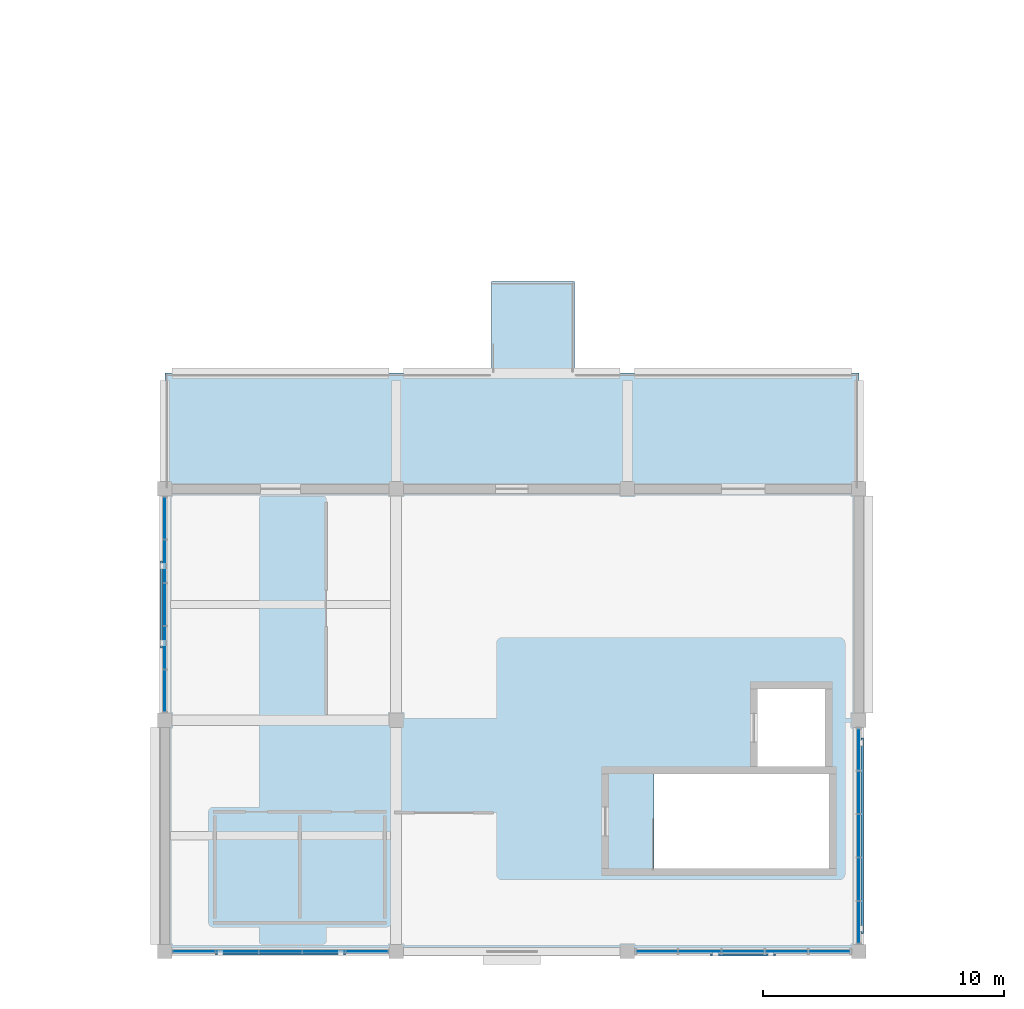
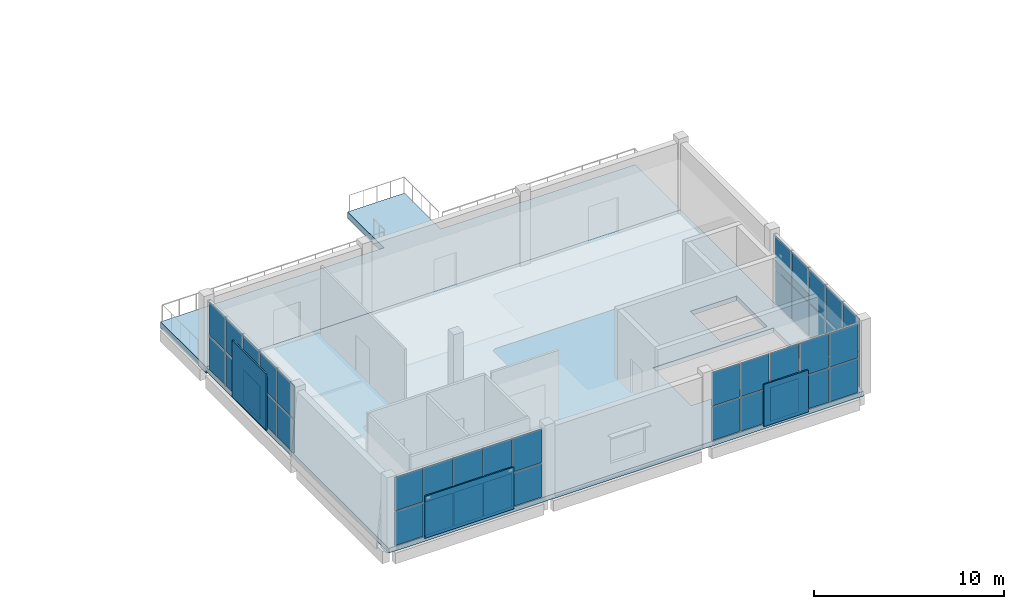
# One storey, part 18 of 37: 44 plates, 2 slabs, 4 elements without a shape of their own.
"""IFC4 building model written with IfcOpenShell, lengths in metres."""

import ifcopenshell
import ifcopenshell.guid

model = None  # the IFC model being written
_history = None  # IfcOwnerHistory: only IFC2X3 demands one
_inside = {}  # id of a spatial element -> (the spatial element, [elements in it])
_under = {}  # id of a project, library or spatial element -> (it, [spatial elements below it])
_declared = {}  # id of a project -> (the project, [libraries it declares])
_typed = {}  # id of a type object -> (the type object, [elements of that type])
_made_of = {}  # id of a material, layer set ... -> (it, [elements and type objects made of it])


def new_model(schema):
    """Start an empty IFC model of exactly this schema.

    Asked for "IFC4X3", IfcOpenShell would pick the latest addendum, in which some entities
    have other attributes; the version numbers below select the first issue.
    IFC2X3 requires an IfcOwnerHistory on every rooted entity: one is made here for all.
    """
    global model, _history
    if schema == "IFC4X3":
        model = ifcopenshell.file(schema_version=(4, 3, 0, 0))
    else:
        model = ifcopenshell.file(schema=schema)
    _inside.clear()
    _under.clear()
    _declared.clear()
    _typed.clear()
    _made_of.clear()
    _history = None
    if model.schema == "IFC2X3":
        org = make("IfcOrganization", Name="unknown")
        user = make(
            "IfcPersonAndOrganization",
            ThePerson=make("IfcPerson", FamilyName="unknown"),
            TheOrganization=org,
        )
        app = make(
            "IfcApplication",
            ApplicationDeveloper=org,
            Version="unknown",
            ApplicationFullName="unknown",
            ApplicationIdentifier="unknown",
        )
        _history = make(
            "IfcOwnerHistory",
            OwningUser=user,
            OwningApplication=app,
            ChangeAction="ADDED",
            CreationDate=0,
        )
    return model


def make(cls, **values):
    """One entity of the class cls with the attributes given. An attribute that is None is left unset."""
    return model.create_entity(
        cls, **{name: value for name, value in values.items() if value is not None}
    )


def rooted(cls, **values):
    """An entity with a GlobalId (a new one), such as an element, a storey or a relation."""
    return make(cls, GlobalId=ifcopenshell.guid.new(), OwnerHistory=_history, **values)


def si_unit(unit_type, name, prefix=None):
    """IfcSIUnit, for example si_unit("LENGTHUNIT", "METRE", prefix="MILLI")."""
    return make("IfcSIUnit", UnitType=unit_type, Prefix=prefix, Name=name)


def assignment(units):
    """IfcUnitAssignment: the units of a project."""
    return None if units is None else make("IfcUnitAssignment", Units=units)


def point(xyz):
    """IfcCartesianPoint."""
    return None if xyz is None else make("IfcCartesianPoint", Coordinates=xyz)


def direction(xyz):
    """IfcDirection."""
    return None if xyz is None else make("IfcDirection", DirectionRatios=xyz)


def frame(location, z_axis=None, x_axis=None):
    """IfcAxis2Placement3D, a coordinate frame: its origin and axes. An axis left out is left unset."""
    return make(
        "IfcAxis2Placement3D",
        Location=point(location),
        Axis=direction(z_axis),
        RefDirection=direction(x_axis),
    )


def frame_2d(location, x_axis=None):
    """IfcAxis2Placement2D, a coordinate frame in the plane: its origin and x axis."""
    return make(
        "IfcAxis2Placement2D", Location=point(location), RefDirection=direction(x_axis)
    )


def origin():
    """The frame at (0, 0, 0) with its axes left unset."""
    return frame((0.0, 0.0, 0.0))


def origin_2d():
    """The frame at (0, 0) in the plane with its x axis left unset."""
    return frame_2d((0.0, 0.0))


def place(relative_to, where):
    """IfcLocalPlacement: puts the frame where relative to a parent placement (None: the world)."""
    return make(
        "IfcLocalPlacement", PlacementRelTo=relative_to, RelativePlacement=where
    )


def context(
    kind, dimensions, precision=None, world=None, true_north=None, identifier=None
):
    """IfcGeometricRepresentationContext, for example the 3D "Model" context."""
    return make(
        "IfcGeometricRepresentationContext",
        ContextIdentifier=identifier,
        ContextType=kind,
        CoordinateSpaceDimension=dimensions,
        Precision=precision,
        WorldCoordinateSystem=world,
        TrueNorth=true_north,
    )


def subcontext(parent, identifier, kind, view, scale=None):
    """IfcGeometricRepresentationSubContext, for example "Body" below "Model"."""
    return make(
        "IfcGeometricRepresentationSubContext",
        ContextIdentifier=identifier,
        ContextType=kind,
        ParentContext=parent,
        TargetScale=scale,
        TargetView=view,
    )


def project(units=None, contexts=None):
    """IfcProject with its units and contexts."""
    return rooted(
        "IfcProject",
        Name="project",
        RepresentationContexts=contexts,
        UnitsInContext=assignment(units),
    )


def spatial(cls, under=None, at=None, **own):
    """A site, building, storey or space (cls), placed at a placement, below another one or the project."""
    s = rooted(cls, ObjectPlacement=at, **own)
    if under is not None:
        _under.setdefault(under.id(), (under, []))[1].append(s)
    return s


def polyline(points):
    """IfcPolyline through the points."""
    return make("IfcPolyline", Points=[point(p) for p in points])


def profile(cls, at=None, kind="AREA", **sizes):
    """A parametric profile (cls). Its sizes go by their IFC names, for example OverallWidth=200.0."""
    return make(cls, ProfileType=kind, Position=at, **sizes)


def rectangle(**sizes):
    """IfcRectangleProfileDef."""
    return profile("IfcRectangleProfileDef", **sizes)


def outline(outer, holes=None, kind="AREA"):
    """IfcArbitraryClosedProfileDef: a profile drawn as a closed curve; with holes, ...WithVoids."""
    if holes is None:
        return make("IfcArbitraryClosedProfileDef", ProfileType=kind, OuterCurve=outer)
    return make(
        "IfcArbitraryProfileDefWithVoids",
        ProfileType=kind,
        OuterCurve=outer,
        InnerCurves=holes,
    )


def extrude(swept, where, along, depth):
    """IfcExtrudedAreaSolid: the profile swept, set in the frame where, extruded along a direction by depth."""
    return make(
        "IfcExtrudedAreaSolid",
        SweptArea=swept,
        Position=where,
        ExtrudedDirection=direction(along),
        Depth=depth,
    )


def shape(context_of_items, identifier, shape_type, items):
    """IfcShapeRepresentation: the items that make up one representation, for example the "Body"."""
    return make(
        "IfcShapeRepresentation",
        ContextOfItems=context_of_items,
        RepresentationIdentifier=identifier,
        RepresentationType=shape_type,
        Items=items,
    )


def material(Name=None, Category=None):
    """IfcMaterial."""
    return make("IfcMaterial", Name=Name, Category=Category)


def layer(
    of_material, thickness, ventilated=None, Name=None, Category=None, Priority=None
):
    """IfcMaterialLayer: one layer of a wall or slab, of a material (None: an air gap)."""
    return make(
        "IfcMaterialLayer",
        Material=of_material,
        LayerThickness=thickness,
        IsVentilated=ventilated,
        Name=Name,
        Category=Category,
        Priority=Priority,
    )


def layer_set(layers, Name=None):
    """IfcMaterialLayerSet."""
    return make("IfcMaterialLayerSet", MaterialLayers=layers, LayerSetName=Name)


def made_of(thing, what):
    """Note that an element or type object is made of a material, layer set ...; save() writes the relation."""
    if what is not None:
        _made_of.setdefault(what.id(), (what, []))[1].append(thing)
    return thing


def type_object(cls, material=None, **own):
    """A type object (cls), such as IfcWallType, which elements share."""
    return made_of(rooted(cls, **own), material)


def element(
    cls,
    number,
    at=None,
    inside=None,
    cuts=None,
    type_object=None,
    material=None,
    context=None,
    identifier="Body",
    shape_type=None,
    held_by="IfcProductDefinitionShape",
    body=None,
    shapes=None,
    **own,
):
    """One element of the class cls, such as IfcWall. Its Tag is "e" and its number.

    at: its placement. inside: the storey or other place that contains it. cuts: it is an
    opening in that element (IfcRelVoidsElement). A single representation is given by context,
    identifier, shape_type and body (its items); several are given by shapes. held_by: the class
    of the entity that holds the representations. save() writes the other relations.
    """
    e = rooted(cls, Tag="e%d" % number, ObjectPlacement=at, **own)
    if body is not None:
        shapes = [shape(context, identifier, shape_type, body)]
    if shapes is not None:
        e.Representation = make(held_by, Representations=shapes)
    if inside is not None:
        _inside.setdefault(inside.id(), (inside, []))[1].append(e)
    if cuts is not None:
        rooted(
            "IfcRelVoidsElement", RelatingBuildingElement=cuts, RelatedOpeningElement=e
        )
    if type_object is not None:
        _typed.setdefault(type_object.id(), (type_object, []))[1].append(e)
    return made_of(e, material)


def aggregate(whole, parts):
    """IfcRelAggregates: a whole, such as a stair, and the parts it consists of."""
    return rooted("IfcRelAggregates", RelatingObject=whole, RelatedObjects=parts)


def save(model, path):
    """Write the relations noted so far, then the file.

    IfcRelAggregates (storeys below a building ...), IfcRelContainedInSpatialStructure (elements
    in a storey), IfcRelDefinesByType, IfcRelAssociatesMaterial and IfcRelDeclares: one each for
    every whole, place, type object, material and project.
    """
    for whole, parts in _under.values():
        aggregate(whole, parts)
    for where, things in _inside.values():
        rooted(
            "IfcRelContainedInSpatialStructure",
            RelatedElements=things,
            RelatingStructure=where,
        )
    for kind, things in _typed.values():
        rooted("IfcRelDefinesByType", RelatedObjects=things, RelatingType=kind)
    for what, things in _made_of.values():
        rooted("IfcRelAssociatesMaterial", RelatedObjects=things, RelatingMaterial=what)
    for by, libraries in _declared.values():
        rooted("IfcRelDeclares", RelatingContext=by, RelatedDefinitions=libraries)
    model.write(path)


model = new_model("IFC4")

# Units and contexts
model_context = context("Model", 3, precision=1e-05, world=origin(), true_north=direction((0.0, 1.0)))
body_context = subcontext(model_context, "Body", "Model", "MODEL_VIEW")
ifc_project = project(units=[si_unit("LENGTHUNIT", "METRE"), si_unit("AREAUNIT", "SQUARE_METRE"), si_unit("VOLUMEUNIT", "CUBIC_METRE"), si_unit("PLANEANGLEUNIT", "RADIAN"), si_unit("MASSUNIT", "GRAM", prefix="KILO")], contexts=[model_context])

# Site, building, storey
site_placement = place(None, origin())
site = spatial("IfcSite", under=ifc_project, at=site_placement, CompositionType="ELEMENT")
building_placement = place(site_placement, origin())
building = spatial("IfcBuilding", under=site, at=building_placement, Name="Shalvenor Court Art Gallery", CompositionType="ELEMENT")
storey_placement = place(building_placement, frame((0.0, 0.0, 22.199951171875)))
storey = spatial("IfcBuildingStorey", under=building, at=storey_placement, Name="L04", CompositionType="ELEMENT", Elevation=22.199951171875)

# Curtain wall, plates
ifc_material_1 = material(Name="Anodised aluminium and low-iron glass curtain wall", Category="aluminium")
curtain_wall_type_1 = type_object("IfcCurtainWallType", Name="CW-5x2-90-45-242", PredefinedType="USERDEFINED", material=ifc_material_1)
curtain_wall_1_placement = place(storey_placement, origin())
curtain_wall_1 = element("IfcCurtainWall", 1, at=curtain_wall_1_placement, inside=storey, type_object=curtain_wall_type_1, Name="L04 V3 Curtain Wall CW-L04-113", ObjectType="CURTAIN WALL", PredefinedType="USERDEFINED")
ifc_material_2 = material(Name="Low-iron triple-silver solar gallery glazing IGU", Category="glass")
ifc_layer_1 = layer(ifc_material_2, 0.031982421875, Name="Low-iron triple-silver solar gallery glazing IGU")
ifc_layer_set_1 = layer_set([ifc_layer_1], Name="Low-iron triple-silver solar gallery glazing IGU")
plate_type_1 = type_object("IfcPlateType", Name="CWP-02", PredefinedType="CURTAIN_PANEL", material=ifc_layer_set_1)
plate_1_placement = place(storey_placement, frame((124.800048828125, 8.382568359375, 0.070068359375), z_axis=(0.0, 0.0, 1.0), x_axis=(0.0, -1.0, 0.0)))
plate_1 = element("IfcPlate", 2, at=plate_1_placement, type_object=plate_type_1, Name="CW-5x2-90-45-242 panel 1.1", PredefinedType="CURTAIN_PANEL", context=body_context, shape_type="SweptSolid", body=[
    extrude(rectangle(XDim=1.695068359375, YDim=0.031982421875, at=origin_2d()), origin(), (0.0, 0.0, 1.0), 2.14501953125),
])
plate_2_placement = place(storey_placement, frame((124.800048828125, 8.382568359375, 2.28515625), z_axis=(0.0, 0.0, 1.0), x_axis=(0.0, -1.0, 0.0)))
plate_2 = element("IfcPlate", 3, at=plate_2_placement, type_object=plate_type_1, Name="CW-5x2-90-45-242 panel 1.2", PredefinedType="CURTAIN_PANEL", context=body_context, shape_type="SweptSolid", body=[
    extrude(rectangle(XDim=1.695068359375, YDim=0.031982421875, at=origin_2d()), origin(), (0.0, 0.0, 1.0), 2.14501953125),
])
plate_3_placement = place(storey_placement, frame((124.800048828125, 6.60009765625, 0.070068359375), z_axis=(0.0, 0.0, 1.0), x_axis=(0.0, -1.0, 0.0)))
plate_3 = element("IfcPlate", 4, at=plate_3_placement, type_object=plate_type_1, Name="CW-5x2-90-45-242 panel 2.1", PredefinedType="CURTAIN_PANEL", context=body_context, shape_type="SweptSolid", body=[
    extrude(rectangle(XDim=1.72998046875, YDim=0.031982421875, at=origin_2d()), origin(), (0.0, 0.0, 1.0), 2.14501953125),
])
plate_4_placement = place(storey_placement, frame((124.800048828125, 6.60009765625, 2.28515625), z_axis=(0.0, 0.0, 1.0), x_axis=(0.0, -1.0, 0.0)))
plate_4 = element("IfcPlate", 5, at=plate_4_placement, type_object=plate_type_1, Name="CW-5x2-90-45-242 panel 2.2", PredefinedType="CURTAIN_PANEL", context=body_context, shape_type="SweptSolid", body=[
    extrude(rectangle(XDim=1.72998046875, YDim=0.031982421875, at=origin_2d()), origin(), (0.0, 0.0, 1.0), 2.14501953125),
])
plate_5_placement = place(storey_placement, frame((124.800048828125, 4.800048828125, 0.070068359375), z_axis=(0.0, 0.0, 1.0), x_axis=(0.0, -1.0, 0.0)))
plate_5 = element("IfcPlate", 6, at=plate_5_placement, type_object=plate_type_1, Name="CW-5x2-90-45-242 panel 3.1", PredefinedType="CURTAIN_PANEL", context=body_context, shape_type="SweptSolid", body=[
    extrude(rectangle(XDim=1.72998046875, YDim=0.031982421875, at=origin_2d()), origin(), (0.0, 0.0, 1.0), 2.14501953125),
])
plate_6_placement = place(storey_placement, frame((124.800048828125, 4.800048828125, 2.28515625), z_axis=(0.0, 0.0, 1.0), x_axis=(0.0, -1.0, 0.0)))
plate_6 = element("IfcPlate", 7, at=plate_6_placement, type_object=plate_type_1, Name="CW-5x2-90-45-242 panel 3.2", PredefinedType="CURTAIN_PANEL", context=body_context, shape_type="SweptSolid", body=[
    extrude(rectangle(XDim=1.72998046875, YDim=0.031982421875, at=origin_2d()), origin(), (0.0, 0.0, 1.0), 2.14501953125),
])
plate_7_placement = place(storey_placement, frame((124.800048828125, 3.0, 0.070068359375), z_axis=(0.0, 0.0, 1.0), x_axis=(0.0, -1.0, 0.0)))
plate_7 = element("IfcPlate", 8, at=plate_7_placement, type_object=plate_type_1, Name="CW-5x2-90-45-242 panel 4.1", PredefinedType="CURTAIN_PANEL", context=body_context, shape_type="SweptSolid", body=[
    extrude(rectangle(XDim=1.72998046875, YDim=0.031982421875, at=origin_2d()), origin(), (0.0, 0.0, 1.0), 2.14501953125),
])
plate_8_placement = place(storey_placement, frame((124.800048828125, 3.0, 2.28515625), z_axis=(0.0, 0.0, 1.0), x_axis=(0.0, -1.0, 0.0)))
plate_8 = element("IfcPlate", 9, at=plate_8_placement, type_object=plate_type_1, Name="CW-5x2-90-45-242 panel 4.2", PredefinedType="CURTAIN_PANEL", context=body_context, shape_type="SweptSolid", body=[
    extrude(rectangle(XDim=1.72998046875, YDim=0.031982421875, at=origin_2d()), origin(), (0.0, 0.0, 1.0), 2.14501953125),
])
plate_9_placement = place(storey_placement, frame((124.800048828125, 1.217529296875, 0.070068359375), z_axis=(0.0, 0.0, 1.0), x_axis=(0.0, -1.0, 0.0)))
plate_9 = element("IfcPlate", 10, at=plate_9_placement, type_object=plate_type_1, Name="CW-5x2-90-45-242 panel 5.1", PredefinedType="CURTAIN_PANEL", context=body_context, shape_type="SweptSolid", body=[
    extrude(rectangle(XDim=1.695068359375, YDim=0.031982421875, at=origin_2d()), origin(), (0.0, 0.0, 1.0), 2.14501953125),
])
plate_10_placement = place(storey_placement, frame((124.800048828125, 1.217529296875, 2.28515625), z_axis=(0.0, 0.0, 1.0), x_axis=(0.0, -1.0, 0.0)))
plate_10 = element("IfcPlate", 11, at=plate_10_placement, type_object=plate_type_1, Name="CW-5x2-90-45-242 panel 5.2", PredefinedType="CURTAIN_PANEL", context=body_context, shape_type="SweptSolid", body=[
    extrude(rectangle(XDim=1.695068359375, YDim=0.031982421875, at=origin_2d()), origin(), (0.0, 0.0, 1.0), 2.14501953125),
])
aggregate(curtain_wall_1, [plate_1, plate_2, plate_3, plate_4, plate_5, plate_6, plate_7, plate_8, plate_9, plate_10])

ifc_material_3 = material(Name="Anodised aluminium and low-iron glass curtain wall", Category="aluminium")
curtain_wall_type_2 = type_object("IfcCurtainWallType", Name="CW-5x2-90-45-412", PredefinedType="USERDEFINED", material=ifc_material_3)
curtain_wall_2_placement = place(storey_placement, origin())
curtain_wall_2 = element("IfcCurtainWall", 12, at=curtain_wall_2_placement, inside=storey, type_object=curtain_wall_type_2, Name="L04 V3 Curtain Wall CW-L04-114", ObjectType="CURTAIN WALL", PredefinedType="USERDEFINED")
plate_11_placement = place(storey_placement, frame((123.581298828125, 0.0, 0.06005859375), z_axis=(0.0, 0.0, 1.0), x_axis=(-1.0, 0.0, 0.0)))
plate_11 = element("IfcPlate", 13, at=plate_11_placement, type_object=plate_type_1, Name="CW-5x2-90-45-412 panel 1.1", PredefinedType="CURTAIN_PANEL", context=body_context, shape_type="SweptSolid", body=[
    extrude(rectangle(XDim=1.6875, YDim=0.031982421875, at=origin_2d()), origin(), (0.0, 0.0, 1.0), 2.159912109375),
])
plate_12_placement = place(storey_placement, frame((123.581298828125, 0.0, 2.2802734375), z_axis=(0.0, 0.0, 1.0), x_axis=(-1.0, 0.0, 0.0)))
plate_12 = element("IfcPlate", 14, at=plate_12_placement, type_object=plate_type_1, Name="CW-5x2-90-45-412 panel 1.2", PredefinedType="CURTAIN_PANEL", context=body_context, shape_type="SweptSolid", body=[
    extrude(rectangle(XDim=1.6875, YDim=0.031982421875, at=origin_2d()), origin(), (0.0, 0.0, 1.0), 2.159912109375),
])
plate_13_placement = place(storey_placement, frame((121.800048828125, 0.0, 0.06005859375), z_axis=(0.0, 0.0, 1.0), x_axis=(-1.0, 0.0, 0.0)))
plate_13 = element("IfcPlate", 15, at=plate_13_placement, type_object=plate_type_1, Name="CW-5x2-90-45-412 panel 2.1", PredefinedType="CURTAIN_PANEL", context=body_context, shape_type="SweptSolid", body=[
    extrude(rectangle(XDim=1.72509765625, YDim=0.031982421875, at=origin_2d()), origin(), (0.0, 0.0, 1.0), 2.159912109375),
])
plate_14_placement = place(storey_placement, frame((121.800048828125, 0.0, 2.2802734375), z_axis=(0.0, 0.0, 1.0), x_axis=(-1.0, 0.0, 0.0)))
plate_14 = element("IfcPlate", 16, at=plate_14_placement, type_object=plate_type_1, Name="CW-5x2-90-45-412 panel 2.2", PredefinedType="CURTAIN_PANEL", context=body_context, shape_type="SweptSolid", body=[
    extrude(rectangle(XDim=1.72509765625, YDim=0.031982421875, at=origin_2d()), origin(), (0.0, 0.0, 1.0), 2.159912109375),
])
plate_15_placement = place(storey_placement, frame((120.0, 0.0, 0.06005859375), z_axis=(0.0, 0.0, 1.0), x_axis=(-1.0, 0.0, 0.0)))
plate_15 = element("IfcPlate", 17, at=plate_15_placement, type_object=plate_type_1, Name="CW-5x2-90-45-412 panel 3.1", PredefinedType="CURTAIN_PANEL", context=body_context, shape_type="SweptSolid", body=[
    extrude(rectangle(XDim=1.72509765625, YDim=0.031982421875, at=origin_2d()), origin(), (0.0, 0.0, 1.0), 2.159912109375),
])
plate_16_placement = place(storey_placement, frame((120.0, 0.0, 2.2802734375), z_axis=(0.0, 0.0, 1.0), x_axis=(-1.0, 0.0, 0.0)))
plate_16 = element("IfcPlate", 18, at=plate_16_placement, type_object=plate_type_1, Name="CW-5x2-90-45-412 panel 3.2", PredefinedType="CURTAIN_PANEL", context=body_context, shape_type="SweptSolid", body=[
    extrude(rectangle(XDim=1.72509765625, YDim=0.031982421875, at=origin_2d()), origin(), (0.0, 0.0, 1.0), 2.159912109375),
])
plate_17_placement = place(storey_placement, frame((118.199951171875, 0.0, 0.06005859375), z_axis=(0.0, 0.0, 1.0), x_axis=(-1.0, 0.0, 0.0)))
plate_17 = element("IfcPlate", 19, at=plate_17_placement, type_object=plate_type_1, Name="CW-5x2-90-45-412 panel 4.1", PredefinedType="CURTAIN_PANEL", context=body_context, shape_type="SweptSolid", body=[
    extrude(rectangle(XDim=1.72509765625, YDim=0.031982421875, at=origin_2d()), origin(), (0.0, 0.0, 1.0), 2.159912109375),
])
plate_18_placement = place(storey_placement, frame((118.199951171875, 0.0, 2.2802734375), z_axis=(0.0, 0.0, 1.0), x_axis=(-1.0, 0.0, 0.0)))
plate_18 = element("IfcPlate", 20, at=plate_18_placement, type_object=plate_type_1, Name="CW-5x2-90-45-412 panel 4.2", PredefinedType="CURTAIN_PANEL", context=body_context, shape_type="SweptSolid", body=[
    extrude(rectangle(XDim=1.72509765625, YDim=0.031982421875, at=origin_2d()), origin(), (0.0, 0.0, 1.0), 2.159912109375),
])
plate_19_placement = place(storey_placement, frame((116.418701171875, 0.0, 0.06005859375), z_axis=(0.0, 0.0, 1.0), x_axis=(-1.0, 0.0, 0.0)))
plate_19 = element("IfcPlate", 21, at=plate_19_placement, type_object=plate_type_1, Name="CW-5x2-90-45-412 panel 5.1", PredefinedType="CURTAIN_PANEL", context=body_context, shape_type="SweptSolid", body=[
    extrude(rectangle(XDim=1.6875, YDim=0.031982421875, at=origin_2d()), origin(), (0.0, 0.0, 1.0), 2.159912109375),
])
plate_20_placement = place(storey_placement, frame((116.418701171875, 0.0, 2.2802734375), z_axis=(0.0, 0.0, 1.0), x_axis=(-1.0, 0.0, 0.0)))
plate_20 = element("IfcPlate", 22, at=plate_20_placement, type_object=plate_type_1, Name="CW-5x2-90-45-412 panel 5.2", PredefinedType="CURTAIN_PANEL", context=body_context, shape_type="SweptSolid", body=[
    extrude(rectangle(XDim=1.6875, YDim=0.031982421875, at=origin_2d()), origin(), (0.0, 0.0, 1.0), 2.159912109375),
])
aggregate(curtain_wall_2, [plate_11, plate_12, plate_13, plate_14, plate_15, plate_16, plate_17, plate_18, plate_19, plate_20])

ifc_material_4 = material(Name="Anodised aluminium and low-iron glass curtain wall", Category="aluminium")
curtain_wall_type_3 = type_object("IfcCurtainWallType", Name="CW-5x2-90-45-622", PredefinedType="USERDEFINED", material=ifc_material_4)
curtain_wall_3_placement = place(storey_placement, origin())
curtain_wall_3 = element("IfcCurtainWall", 23, at=curtain_wall_3_placement, inside=storey, type_object=curtain_wall_type_3, Name="L04 V3 Curtain Wall CW-L04-115", ObjectType="CURTAIN WALL", PredefinedType="USERDEFINED")
plate_21_placement = place(storey_placement, frame((104.38623046875, 0.0, 0.06494140625), z_axis=(0.0, 0.0, 1.0), x_axis=(-1.0, 0.0, 0.0)))
plate_21 = element("IfcPlate", 24, at=plate_21_placement, type_object=plate_type_1, Name="CW-5x2-90-45-622 panel 1.1", PredefinedType="CURTAIN_PANEL", context=body_context, shape_type="SweptSolid", body=[
    extrude(rectangle(XDim=1.717529296875, YDim=0.031982421875, at=origin_2d()), origin(), (0.0, 0.0, 1.0), 2.152587890625),
])
plate_22_placement = place(storey_placement, frame((104.38623046875, 0.0, 2.28271484375), z_axis=(0.0, 0.0, 1.0), x_axis=(-1.0, 0.0, 0.0)))
plate_22 = element("IfcPlate", 25, at=plate_22_placement, type_object=plate_type_1, Name="CW-5x2-90-45-622 panel 1.2", PredefinedType="CURTAIN_PANEL", context=body_context, shape_type="SweptSolid", body=[
    extrude(rectangle(XDim=1.717529296875, YDim=0.031982421875, at=origin_2d()), origin(), (0.0, 0.0, 1.0), 2.152587890625),
])
plate_23_placement = place(storey_placement, frame((102.60009765625, 0.0, 0.06494140625), z_axis=(0.0, 0.0, 1.0), x_axis=(-1.0, 0.0, 0.0)))
plate_23 = element("IfcPlate", 26, at=plate_23_placement, type_object=plate_type_1, Name="CW-5x2-90-45-622 panel 2.1", PredefinedType="CURTAIN_PANEL", context=body_context, shape_type="SweptSolid", body=[
    extrude(rectangle(XDim=1.7451171875, YDim=0.031982421875, at=origin_2d()), origin(), (0.0, 0.0, 1.0), 2.152587890625),
])
plate_24_placement = place(storey_placement, frame((102.60009765625, 0.0, 2.28271484375), z_axis=(0.0, 0.0, 1.0), x_axis=(-1.0, 0.0, 0.0)))
plate_24 = element("IfcPlate", 27, at=plate_24_placement, type_object=plate_type_1, Name="CW-5x2-90-45-622 panel 2.2", PredefinedType="CURTAIN_PANEL", context=body_context, shape_type="SweptSolid", body=[
    extrude(rectangle(XDim=1.7451171875, YDim=0.031982421875, at=origin_2d()), origin(), (0.0, 0.0, 1.0), 2.152587890625),
])
plate_25_placement = place(storey_placement, frame((100.800048828125, 0.0, 0.06494140625), z_axis=(0.0, 0.0, 1.0), x_axis=(-1.0, 0.0, 0.0)))
plate_25 = element("IfcPlate", 28, at=plate_25_placement, type_object=plate_type_1, Name="CW-5x2-90-45-622 panel 3.1", PredefinedType="CURTAIN_PANEL", context=body_context, shape_type="SweptSolid", body=[
    extrude(rectangle(XDim=1.7451171875, YDim=0.031982421875, at=origin_2d()), origin(), (0.0, 0.0, 1.0), 2.152587890625),
])
plate_26_placement = place(storey_placement, frame((100.800048828125, 0.0, 2.28271484375), z_axis=(0.0, 0.0, 1.0), x_axis=(-1.0, 0.0, 0.0)))
plate_26 = element("IfcPlate", 29, at=plate_26_placement, type_object=plate_type_1, Name="CW-5x2-90-45-622 panel 3.2", PredefinedType="CURTAIN_PANEL", context=body_context, shape_type="SweptSolid", body=[
    extrude(rectangle(XDim=1.7451171875, YDim=0.031982421875, at=origin_2d()), origin(), (0.0, 0.0, 1.0), 2.152587890625),
])
plate_27_placement = place(storey_placement, frame((99.0, 0.0, 0.06494140625), z_axis=(0.0, 0.0, 1.0), x_axis=(-1.0, 0.0, 0.0)))
plate_27 = element("IfcPlate", 30, at=plate_27_placement, type_object=plate_type_1, Name="CW-5x2-90-45-622 panel 4.1", PredefinedType="CURTAIN_PANEL", context=body_context, shape_type="SweptSolid", body=[
    extrude(rectangle(XDim=1.7451171875, YDim=0.031982421875, at=origin_2d()), origin(), (0.0, 0.0, 1.0), 2.152587890625),
])
plate_28_placement = place(storey_placement, frame((99.0, 0.0, 2.28271484375), z_axis=(0.0, 0.0, 1.0), x_axis=(-1.0, 0.0, 0.0)))
plate_28 = element("IfcPlate", 31, at=plate_28_placement, type_object=plate_type_1, Name="CW-5x2-90-45-622 panel 4.2", PredefinedType="CURTAIN_PANEL", context=body_context, shape_type="SweptSolid", body=[
    extrude(rectangle(XDim=1.7451171875, YDim=0.031982421875, at=origin_2d()), origin(), (0.0, 0.0, 1.0), 2.152587890625),
])
plate_29_placement = place(storey_placement, frame((97.2138671875, 0.0, 0.06494140625), z_axis=(0.0, 0.0, 1.0), x_axis=(-1.0, 0.0, 0.0)))
plate_29 = element("IfcPlate", 32, at=plate_29_placement, type_object=plate_type_1, Name="CW-5x2-90-45-622 panel 5.1", PredefinedType="CURTAIN_PANEL", context=body_context, shape_type="SweptSolid", body=[
    extrude(rectangle(XDim=1.717529296875, YDim=0.031982421875, at=origin_2d()), origin(), (0.0, 0.0, 1.0), 2.152587890625),
])
plate_30_placement = place(storey_placement, frame((97.2138671875, 0.0, 2.28271484375), z_axis=(0.0, 0.0, 1.0), x_axis=(-1.0, 0.0, 0.0)))
plate_30 = element("IfcPlate", 33, at=plate_30_placement, type_object=plate_type_1, Name="CW-5x2-90-45-622 panel 5.2", PredefinedType="CURTAIN_PANEL", context=body_context, shape_type="SweptSolid", body=[
    extrude(rectangle(XDim=1.717529296875, YDim=0.031982421875, at=origin_2d()), origin(), (0.0, 0.0, 1.0), 2.152587890625),
])
aggregate(curtain_wall_3, [plate_21, plate_22, plate_23, plate_24, plate_25, plate_26, plate_27, plate_28, plate_29, plate_30])

ifc_material_5 = material(Name="Anodised aluminium and low-iron glass curtain wall", Category="aluminium")
curtain_wall_type_4 = type_object("IfcCurtainWallType", Name="CW-5x2-90-45-142", PredefinedType="USERDEFINED", material=ifc_material_5)
curtain_wall_4_placement = place(storey_placement, origin())
curtain_wall_4 = element("IfcCurtainWall", 34, at=curtain_wall_4_placement, inside=storey, type_object=curtain_wall_type_4, Name="L04 V3 Curtain Wall CW-L04-116", ObjectType="CURTAIN WALL", PredefinedType="USERDEFINED")
plate_31_placement = place(storey_placement, frame((96.0, 10.816162109375, 0.070068359375), z_axis=(0.0, 0.0, 1.0), x_axis=(0.0, 1.0, 0.0)))
plate_31 = element("IfcPlate", 35, at=plate_31_placement, type_object=plate_type_1, Name="CW-5x2-90-45-142 panel 1.1", PredefinedType="CURTAIN_PANEL", context=body_context, shape_type="SweptSolid", body=[
    extrude(rectangle(XDim=1.702392578125, YDim=0.031982421875, at=origin_2d()), origin(), (0.0, 0.0, 1.0), 2.14501953125),
])
plate_32_placement = place(storey_placement, frame((96.0, 10.816162109375, 2.28515625), z_axis=(0.0, 0.0, 1.0), x_axis=(0.0, 1.0, 0.0)))
plate_32 = element("IfcPlate", 36, at=plate_32_placement, type_object=plate_type_1, Name="CW-5x2-90-45-142 panel 1.2", PredefinedType="CURTAIN_PANEL", context=body_context, shape_type="SweptSolid", body=[
    extrude(rectangle(XDim=1.702392578125, YDim=0.031982421875, at=origin_2d()), origin(), (0.0, 0.0, 1.0), 2.14501953125),
])
plate_33_placement = place(storey_placement, frame((96.0, 12.60009765625, 0.070068359375), z_axis=(0.0, 0.0, 1.0), x_axis=(0.0, 1.0, 0.0)))
plate_33 = element("IfcPlate", 37, at=plate_33_placement, type_object=plate_type_1, Name="CW-5x2-90-45-142 panel 2.1", PredefinedType="CURTAIN_PANEL", context=body_context, shape_type="SweptSolid", body=[
    extrude(rectangle(XDim=1.735107421875, YDim=0.031982421875, at=origin_2d()), origin(), (0.0, 0.0, 1.0), 2.14501953125),
])
plate_34_placement = place(storey_placement, frame((96.0, 12.60009765625, 2.28515625), z_axis=(0.0, 0.0, 1.0), x_axis=(0.0, 1.0, 0.0)))
plate_34 = element("IfcPlate", 38, at=plate_34_placement, type_object=plate_type_1, Name="CW-5x2-90-45-142 panel 2.2", PredefinedType="CURTAIN_PANEL", context=body_context, shape_type="SweptSolid", body=[
    extrude(rectangle(XDim=1.735107421875, YDim=0.031982421875, at=origin_2d()), origin(), (0.0, 0.0, 1.0), 2.14501953125),
])
plate_35_placement = place(storey_placement, frame((96.0, 14.39990234375, 0.070068359375), z_axis=(0.0, 0.0, 1.0), x_axis=(0.0, 1.0, 0.0)))
plate_35 = element("IfcPlate", 39, at=plate_35_placement, type_object=plate_type_1, Name="CW-5x2-90-45-142 panel 3.1", PredefinedType="CURTAIN_PANEL", context=body_context, shape_type="SweptSolid", body=[
    extrude(rectangle(XDim=1.735107421875, YDim=0.031982421875, at=origin_2d()), origin(), (0.0, 0.0, 1.0), 2.14501953125),
])
plate_36_placement = place(storey_placement, frame((96.0, 14.39990234375, 2.28515625), z_axis=(0.0, 0.0, 1.0), x_axis=(0.0, 1.0, 0.0)))
plate_36 = element("IfcPlate", 40, at=plate_36_placement, type_object=plate_type_1, Name="CW-5x2-90-45-142 panel 3.2", PredefinedType="CURTAIN_PANEL", context=body_context, shape_type="SweptSolid", body=[
    extrude(rectangle(XDim=1.735107421875, YDim=0.031982421875, at=origin_2d()), origin(), (0.0, 0.0, 1.0), 2.14501953125),
])
plate_37_placement = place(storey_placement, frame((96.0, 16.199951171875, 0.070068359375), z_axis=(0.0, 0.0, 1.0), x_axis=(0.0, 1.0, 0.0)))
plate_37 = element("IfcPlate", 41, at=plate_37_placement, type_object=plate_type_1, Name="CW-5x2-90-45-142 panel 4.1", PredefinedType="CURTAIN_PANEL", context=body_context, shape_type="SweptSolid", body=[
    extrude(rectangle(XDim=1.735107421875, YDim=0.031982421875, at=origin_2d()), origin(), (0.0, 0.0, 1.0), 2.14501953125),
])
plate_38_placement = place(storey_placement, frame((96.0, 16.199951171875, 2.28515625), z_axis=(0.0, 0.0, 1.0), x_axis=(0.0, 1.0, 0.0)))
plate_38 = element("IfcPlate", 42, at=plate_38_placement, type_object=plate_type_1, Name="CW-5x2-90-45-142 panel 4.2", PredefinedType="CURTAIN_PANEL", context=body_context, shape_type="SweptSolid", body=[
    extrude(rectangle(XDim=1.735107421875, YDim=0.031982421875, at=origin_2d()), origin(), (0.0, 0.0, 1.0), 2.14501953125),
])
plate_39_placement = place(storey_placement, frame((96.0, 17.983642578125, 0.070068359375), z_axis=(0.0, 0.0, 1.0), x_axis=(0.0, 1.0, 0.0)))
plate_39 = element("IfcPlate", 43, at=plate_39_placement, type_object=plate_type_1, Name="CW-5x2-90-45-142 panel 5.1", PredefinedType="CURTAIN_PANEL", context=body_context, shape_type="SweptSolid", body=[
    extrude(rectangle(XDim=1.702392578125, YDim=0.031982421875, at=origin_2d()), origin(), (0.0, 0.0, 1.0), 2.14501953125),
])
plate_40_placement = place(storey_placement, frame((96.0, 17.983642578125, 2.28515625), z_axis=(0.0, 0.0, 1.0), x_axis=(0.0, 1.0, 0.0)))
plate_40 = element("IfcPlate", 44, at=plate_40_placement, type_object=plate_type_1, Name="CW-5x2-90-45-142 panel 5.2", PredefinedType="CURTAIN_PANEL", context=body_context, shape_type="SweptSolid", body=[
    extrude(rectangle(XDim=1.702392578125, YDim=0.031982421875, at=origin_2d()), origin(), (0.0, 0.0, 1.0), 2.14501953125),
])
aggregate(curtain_wall_4, [plate_31, plate_32, plate_33, plate_34, plate_35, plate_36, plate_37, plate_38, plate_39, plate_40])

# Slab
ifc_material_6 = material(Name="Concrete C40/50", Category="concrete")
ifc_layer_2 = layer(ifc_material_6, 0.300048828125, Name="Concrete C40/50")
ifc_layer_set_2 = layer_set([ifc_layer_2], Name="Concrete C40/50")
slab_type_1 = type_object("IfcSlabType", Name="FS-300", PredefinedType="FLOOR", material=ifc_layer_set_2)
slab_1_placement = place(storey_placement, frame((0.0, 0.0, -0.300048828125)))
element("IfcSlab", 45, at=slab_1_placement, inside=storey, type_object=slab_type_1, Name="L04 V3 Floor Slab 1", PredefinedType="FLOOR", context=body_context, shape_type="SweptSolid", body=[
    extrude(outline(polyline([(124.800048828125, 19.199951171875), (124.800048828125, 0.0), (96.0, 0.0), (96.0, 19.199951171875), (124.800048828125, 19.199951171875)]), holes=[polyline([(116.31103515625, 3.39990234375), (123.60009765625, 3.39990234375), (123.60009765625, 7.39990234375), (116.31103515625, 7.39990234375), (116.31103515625, 3.39990234375)]), polyline([(120.60009765625, 10.89990234375), (120.60009765625, 7.672119140625), (123.39990234375, 7.672119140625), (123.39990234375, 10.89990234375), (120.60009765625, 10.89990234375)])]), origin(), (0.0, 0.0, 1.0), 0.300048828125),
])

# Plates
ifc_material_7 = material(Name="Perforated pale limestone GRC lattice", Category="masonry")
ifc_layer_3 = layer(ifc_material_7, 0.090087890625, Name="Perforated pale limestone GRC lattice")
ifc_layer_set_3 = layer_set([ifc_layer_3], Name="Perforated pale limestone GRC lattice")
plate_type_2 = type_object("IfcPlateType", Name="SCR-01", PredefinedType="USERDEFINED", material=ifc_layer_set_3)
plate_41_placement = place(storey_placement, frame((95.866943359375, 14.39990234375, 0.0), z_axis=(0.0, 0.0, 1.0), x_axis=(0.0, 1.0, 0.0)))
element("IfcPlate", 46, at=plate_41_placement, inside=storey, type_object=plate_type_2, Name="L04 V3 Perforated Stone Lattice Screen PLT-SCR-0101", ObjectType="SCREEN", PredefinedType="USERDEFINED", context=body_context, shape_type="SweptSolid", body=[
    extrude(rectangle(XDim=3.60009765625, YDim=0.090087890625, at=origin_2d()), origin(), (0.0, 0.0, 1.0), 3.60009765625),
])
ifc_material_8 = material(Name="Perforated pale limestone GRC lattice", Category="masonry")
ifc_layer_4 = layer(ifc_material_8, 0.094970703125, Name="Perforated pale limestone GRC lattice")
ifc_layer_set_4 = layer_set([ifc_layer_4], Name="Perforated pale limestone GRC lattice")
plate_type_3 = type_object("IfcPlateType", Name="SCR-11", PredefinedType="USERDEFINED", material=ifc_layer_set_4)
plate_42_placement = place(storey_placement, frame((124.945556640625, 4.800048828125, 0.0), z_axis=(0.0, 0.0, 1.0), x_axis=(0.0, -1.0, 0.0)))
element("IfcPlate", 47, at=plate_42_placement, inside=storey, type_object=plate_type_3, Name="L04 V3 Perforated Stone Lattice Screen PLT-SCR-0098", ObjectType="SCREEN", PredefinedType="USERDEFINED", context=body_context, shape_type="SweptSolid", body=[
    extrude(rectangle(XDim=8.10009765625, YDim=0.094970703125, at=origin_2d()), origin(), (0.0, 0.0, 1.0), 3.60009765625),
])
ifc_material_9 = material(Name="Perforated pale limestone GRC lattice", Category="masonry")
ifc_layer_5 = layer(ifc_material_9, 0.0849609375, Name="Perforated pale limestone GRC lattice")
ifc_layer_set_5 = layer_set([ifc_layer_5], Name="Perforated pale limestone GRC lattice")
plate_type_4 = type_object("IfcPlateType", Name="SCR-13", PredefinedType="USERDEFINED", material=ifc_layer_set_5)
plate_43_placement = place(storey_placement, frame((120.0, -0.150390625, 0.0), z_axis=(0.0, 0.0, 1.0), x_axis=(-1.0, 0.0, 0.0)))
element("IfcPlate", 48, at=plate_43_placement, inside=storey, type_object=plate_type_4, Name="L04 V3 Perforated Stone Lattice Screen PLT-SCR-0099", ObjectType="SCREEN", PredefinedType="USERDEFINED", context=body_context, shape_type="SweptSolid", body=[
    extrude(rectangle(XDim=2.699951171875, YDim=0.0849609375, at=origin_2d()), origin(), (0.0, 0.0, 1.0), 2.699951171875),
])
ifc_material_10 = material(Name="Perforated pale limestone GRC lattice", Category="masonry")
ifc_layer_6 = layer(ifc_material_10, 0.0849609375, Name="Perforated pale limestone GRC lattice")
ifc_layer_set_6 = layer_set([ifc_layer_6], Name="Perforated pale limestone GRC lattice")
plate_type_5 = type_object("IfcPlateType", Name="SCR-14", PredefinedType="USERDEFINED", material=ifc_layer_set_6)
plate_44_placement = place(storey_placement, frame((100.800048828125, -0.110595703125, 0.0), z_axis=(0.0, 0.0, 1.0), x_axis=(-1.0, 0.0, 0.0)))
element("IfcPlate", 49, at=plate_44_placement, inside=storey, type_object=plate_type_5, Name="L04 V3 Perforated Stone Lattice Screen PLT-SCR-0100", ObjectType="SCREEN", PredefinedType="USERDEFINED", context=body_context, shape_type="SweptSolid", body=[
    extrude(rectangle(XDim=5.39990234375, YDim=0.0849609375, at=origin_2d()), origin(), (0.0, 0.0, 1.0), 2.699951171875),
])

# Slab
ifc_material_11 = material(Name="Concrete C40/50", Category="concrete")
ifc_layer_7 = layer(ifc_material_11, 0.419921875, Name="Concrete C40/50")
ifc_layer_set_7 = layer_set([ifc_layer_7], Name="Concrete C40/50")
slab_type_2 = type_object("IfcSlabType", Name="TS-420", PredefinedType="FLOOR", material=ifc_layer_set_7)
slab_2_placement = place(storey_placement, frame((0.0, 0.0, -0.419921875)))
element("IfcSlab", 50, at=slab_2_placement, inside=storey, type_object=slab_type_2, Name="L04 V3 Outdoor Sculpture Terrace", PredefinedType="FLOOR", context=body_context, shape_type="SweptSolid", body=[
    extrude(outline(polyline([(124.800048828125, 24.0), (124.800048828125, 19.199951171875), (113.0, 19.199951171875), (109.550048828125, 19.199951171875), (96.0, 19.199951171875), (96.0, 24.0), (109.550048828125, 24.0), (109.550048828125, 27.800048828125), (113.0, 27.800048828125), (113.0, 24.0), (124.800048828125, 24.0)])), origin(), (0.0, 0.0, 1.0), 0.419921875),
])

save(model, "model.ifc")
